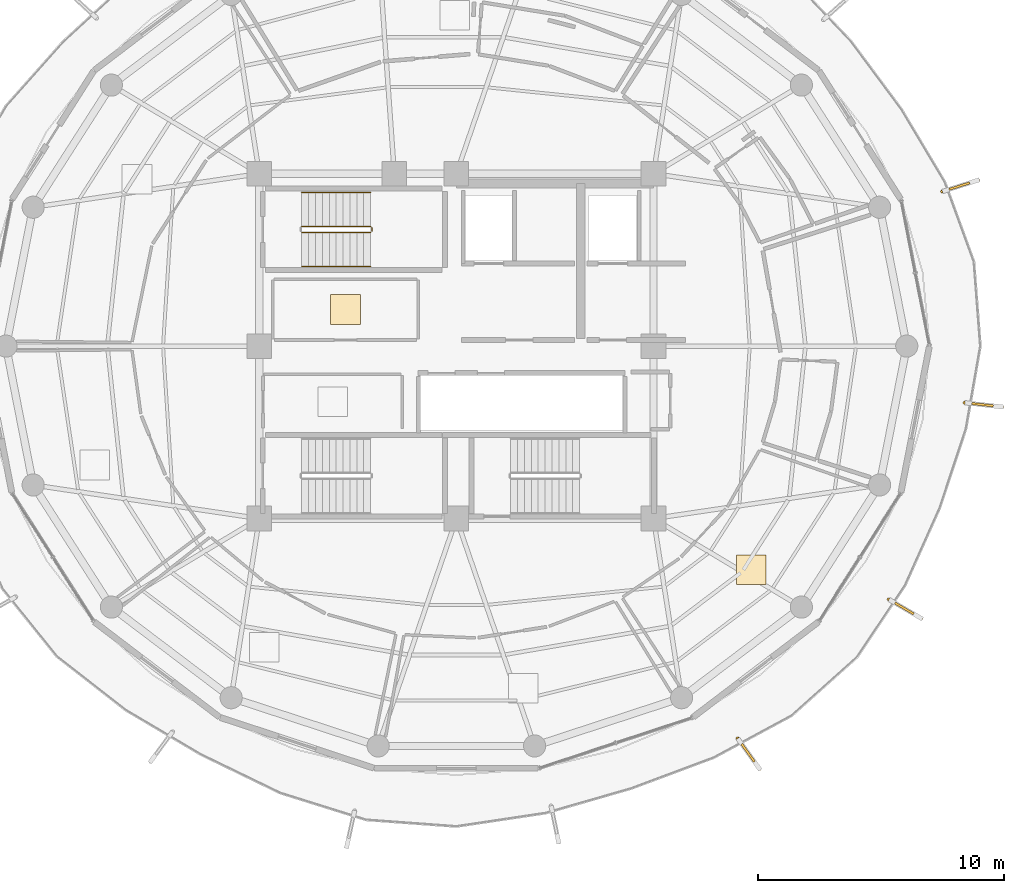
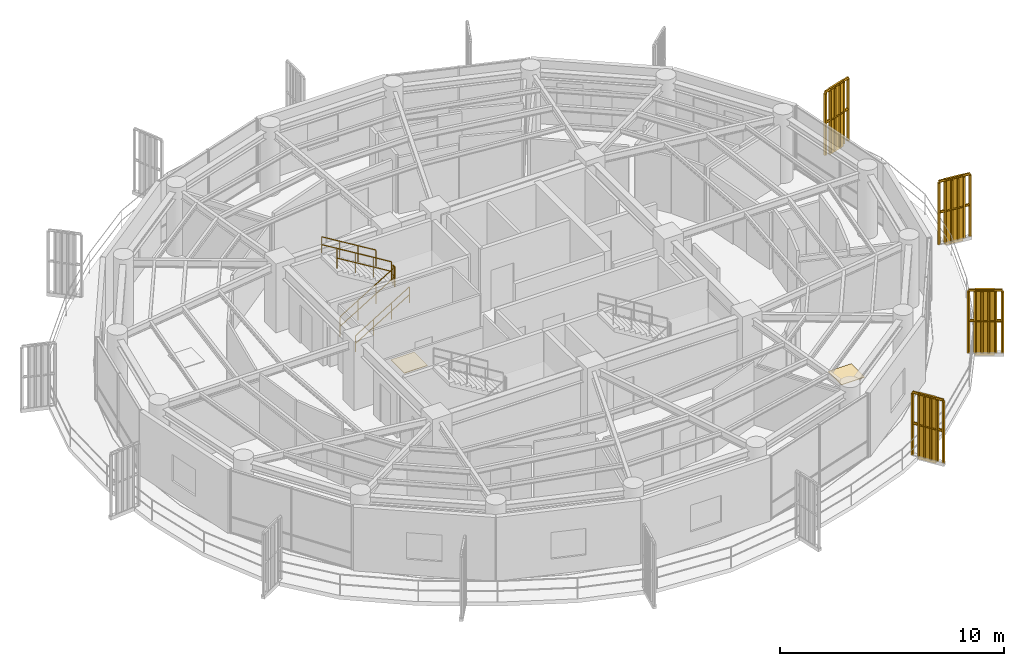
# One storey, part 21 of 22: 9 railings, 4 shading devices, 2 coverings.
"""IFC4 building model written with IfcOpenShell, lengths in metres."""

from ifc_helpers import new_model, si_unit, direction, frame, origin, origin_2d, place, context, subcontext, project, spatial, polyline, rectangle, outline, extrude, source, transform, mapped, material, layer, layer_set, type_object, element, save


model = new_model("IFC4")

# Units and contexts
model_context = context("Model", 3, precision=1e-05, world=origin(), true_north=direction((0.0, 1.0)))
body_context = subcontext(model_context, "Body", "Model", "MODEL_VIEW")
ifc_project = project(units=[si_unit("LENGTHUNIT", "METRE"), si_unit("AREAUNIT", "SQUARE_METRE"), si_unit("VOLUMEUNIT", "CUBIC_METRE"), si_unit("PLANEANGLEUNIT", "RADIAN"), si_unit("MASSUNIT", "GRAM", prefix="KILO")], contexts=[model_context])

# Site, building, storey
site_placement = place(None, origin())
site = spatial("IfcSite", under=ifc_project, at=site_placement, CompositionType="ELEMENT")
building_placement = place(site_placement, origin())
building = spatial("IfcBuilding", under=site, at=building_placement, Name="Kelanora Arch Commons", CompositionType="ELEMENT")
storey_placement = place(building_placement, frame((0.0, 0.0, 259.949951171875)))
storey = spatial("IfcBuildingStorey", under=building, at=storey_placement, Name="L66", CompositionType="ELEMENT", Elevation=259.949951171875)

# Railings
ifc_material_1 = material(Name="Anodised bronze vertical shading fin rib assembly")
railing_type_1 = type_object("IfcRailingType", Name="RAIL-FIN-BRZ", PredefinedType="BALUSTRADE", material=ifc_material_1)
railing_1_placement = place(storey_placement, frame((91.558837890625, 47.716064453125, -0.02001953125)))
element("IfcRailing", 1, at=railing_1_placement, inside=storey, type_object=railing_type_1, Name="Sweeping Bronze Vertical Fin Blade L66-00", PredefinedType="BALUSTRADE", context=body_context, shape_type="SweptSolid", body=[
    extrude(outline(polyline([(0.06982421875, 0.0), (0.034912109375, 0.060546875), (-0.034912109375, 0.060546875), (-0.06982421875, 0.0), (-0.034912109375, -0.060546875), (0.034912109375, -0.060546875), (0.06982421875, 0.0)])), frame((0.0, 0.0, 3.419921875), z_axis=(0.86286732574, -0.505430487971, 0.0), x_axis=(0.505430487971, 0.86286732574, 0.0)), (0.0, 0.0, 1.0), 1.517578125),
    extrude(outline(polyline([(0.06982421875, 0.0), (0.034912109375, 0.060546875), (-0.034912109375, 0.060546875), (-0.06982421875, 0.0), (-0.034912109375, -0.060546875), (0.034912109375, -0.060546875), (0.06982421875, 0.0)])), frame((0.0, 0.0, 1.7451171875), z_axis=(0.86286732574, -0.505430487971, 0.0), x_axis=(0.505430487971, 0.86286732574, 0.0)), (0.0, 0.0, 1.0), 1.517578125),
    extrude(outline(polyline([(0.080078125, 0.0), (0.0400390625, 0.0693359375), (-0.0400390625, 0.0693359375), (-0.080078125, 0.0), (-0.0400390625, -0.0693359375), (0.0400390625, -0.0693359375), (0.080078125, 0.0)])), origin(), (0.0, 0.0, 1.0), 3.35009765625),
    extrude(outline(polyline([(0.080078125, 0.0), (0.0400390625, 0.0693359375), (-0.0400390625, 0.0693359375), (-0.080078125, 0.0), (-0.0400390625, -0.0693359375), (0.0400390625, -0.0693359375), (0.080078125, 0.0)])), frame((0.261962890625, -0.1533203125, 0.0)), (0.0, 0.0, 1.0), 3.35009765625),
    extrude(outline(polyline([(0.080078125, 0.0), (0.0400390625, 0.0693359375), (-0.0400390625, 0.0693359375), (-0.080078125, 0.0), (-0.0400390625, -0.0693359375), (0.0400390625, -0.0693359375), (0.080078125, 0.0)])), frame((0.52392578125, -0.306884765625, 0.0)), (0.0, 0.0, 1.0), 3.35009765625),
    extrude(outline(polyline([(0.080078125, 0.0), (0.0400390625, 0.0693359375), (-0.0400390625, 0.0693359375), (-0.080078125, 0.0), (-0.0400390625, -0.0693359375), (0.0400390625, -0.0693359375), (0.080078125, 0.0)])), frame((0.78564453125, -0.460205078125, 0.0)), (0.0, 0.0, 1.0), 3.35009765625),
    extrude(outline(polyline([(0.080078125, 0.0), (0.0400390625, 0.0693359375), (-0.0400390625, 0.0693359375), (-0.080078125, 0.0), (-0.0400390625, -0.0693359375), (0.0400390625, -0.0693359375), (0.080078125, 0.0)])), frame((1.047607421875, -0.61376953125, 0.0)), (0.0, 0.0, 1.0), 3.35009765625),
    extrude(outline(polyline([(0.080078125, 0.0), (0.0400390625, 0.0693359375), (-0.0400390625, 0.0693359375), (-0.080078125, 0.0), (-0.0400390625, -0.0693359375), (0.0400390625, -0.0693359375), (0.080078125, 0.0)])), frame((1.3095703125, -0.76708984375, 0.0)), (0.0, 0.0, 1.0), 3.35009765625),
])
railing_2_placement = place(storey_placement, frame((94.63818359375, 55.70068359375, -0.02001953125)))
element("IfcRailing", 2, at=railing_2_placement, inside=storey, type_object=railing_type_1, Name="Sweeping Bronze Vertical Fin Blade L66-01", PredefinedType="BALUSTRADE", context=body_context, shape_type="SweptSolid", body=[
    extrude(outline(polyline([(0.06982421875, 0.0), (0.034912109375, 0.060546875), (-0.034912109375, 0.060546875), (-0.06982421875, 0.0), (-0.034912109375, -0.060546875), (0.034912109375, -0.060546875), (0.06982421875, 0.0)])), frame((0.0, 0.0, 3.419921875), z_axis=(0.993856238286, -0.11067871349, 0.0), x_axis=(0.11067871349, 0.993856238286, 0.0)), (0.0, 0.0, 1.0), 1.517578125),
    extrude(outline(polyline([(0.06982421875, 0.0), (0.034912109375, 0.060546875), (-0.034912109375, 0.060546875), (-0.06982421875, 0.0), (-0.034912109375, -0.060546875), (0.034912109375, -0.060546875), (0.06982421875, 0.0)])), frame((0.0, 0.0, 1.7451171875), z_axis=(0.993856238286, -0.11067871349, 0.0), x_axis=(0.11067871349, 0.993856238286, 0.0)), (0.0, 0.0, 1.0), 1.517578125),
    extrude(outline(polyline([(0.080078125, 0.0), (0.0400390625, 0.0693359375), (-0.0400390625, 0.0693359375), (-0.080078125, 0.0), (-0.0400390625, -0.0693359375), (0.0400390625, -0.0693359375), (0.080078125, 0.0)])), origin(), (0.0, 0.0, 1.0), 3.35009765625),
    extrude(outline(polyline([(0.080078125, 0.0), (0.0400390625, 0.0693359375), (-0.0400390625, 0.0693359375), (-0.080078125, 0.0), (-0.0400390625, -0.0693359375), (0.0400390625, -0.0693359375), (0.080078125, 0.0)])), frame((0.3017578125, -0.03369140625, 0.0)), (0.0, 0.0, 1.0), 3.35009765625),
    extrude(outline(polyline([(0.080078125, 0.0), (0.0400390625, 0.0693359375), (-0.0400390625, 0.0693359375), (-0.080078125, 0.0), (-0.0400390625, -0.0693359375), (0.0400390625, -0.0693359375), (0.080078125, 0.0)])), frame((0.603271484375, -0.067138671875, 0.0)), (0.0, 0.0, 1.0), 3.35009765625),
    extrude(outline(polyline([(0.080078125, 0.0), (0.0400390625, 0.0693359375), (-0.0400390625, 0.0693359375), (-0.080078125, 0.0), (-0.0400390625, -0.0693359375), (0.0400390625, -0.0693359375), (0.080078125, 0.0)])), frame((0.905029296875, -0.100830078125, 0.0)), (0.0, 0.0, 1.0), 3.35009765625),
    extrude(outline(polyline([(0.080078125, 0.0), (0.0400390625, 0.0693359375), (-0.0400390625, 0.0693359375), (-0.080078125, 0.0), (-0.0400390625, -0.0693359375), (0.0400390625, -0.0693359375), (0.080078125, 0.0)])), frame((1.20654296875, -0.13427734375, 0.0)), (0.0, 0.0, 1.0), 3.35009765625),
    extrude(outline(polyline([(0.080078125, 0.0), (0.0400390625, 0.0693359375), (-0.0400390625, 0.0693359375), (-0.080078125, 0.0), (-0.0400390625, -0.0693359375), (0.0400390625, -0.0693359375), (0.080078125, 0.0)])), frame((1.50830078125, -0.16796875, 0.0)), (0.0, 0.0, 1.0), 3.35009765625),
])
railing_3_placement = place(storey_placement, frame((93.7275390625, 64.2744140625, -0.02001953125)))
element("IfcRailing", 3, at=railing_3_placement, inside=storey, type_object=railing_type_1, Name="Sweeping Bronze Vertical Fin Blade L66-02", PredefinedType="BALUSTRADE", context=body_context, shape_type="SweptSolid", body=[
    extrude(outline(polyline([(0.06982421875, 0.0), (0.034912109375, 0.060546875), (-0.034912109375, 0.060546875), (-0.06982421875, 0.0), (-0.034912109375, -0.060546875), (0.034912109375, -0.060546875), (0.06982421875, 0.0)])), frame((0.0, 0.0, 3.419921875), z_axis=(0.952999710474, 0.302971206284, 0.0), x_axis=(-0.302971206284, 0.952999710474, 0.0)), (0.0, 0.0, 1.0), 1.517333984375),
    extrude(outline(polyline([(0.06982421875, 0.0), (0.034912109375, 0.060546875), (-0.034912109375, 0.060546875), (-0.06982421875, 0.0), (-0.034912109375, -0.060546875), (0.034912109375, -0.060546875), (0.06982421875, 0.0)])), frame((0.0, 0.0, 1.7451171875), z_axis=(0.952999710474, 0.302971206284, 0.0), x_axis=(-0.302971206284, 0.952999710474, 0.0)), (0.0, 0.0, 1.0), 1.517333984375),
    extrude(outline(polyline([(0.080078125, 0.0), (0.0400390625, 0.0693359375), (-0.0400390625, 0.0693359375), (-0.080078125, 0.0), (-0.0400390625, -0.0693359375), (0.0400390625, -0.0693359375), (0.080078125, 0.0)])), origin(), (0.0, 0.0, 1.0), 3.35009765625),
    extrude(outline(polyline([(0.080078125, 0.0), (0.0400390625, 0.0693359375), (-0.0400390625, 0.0693359375), (-0.080078125, 0.0), (-0.0400390625, -0.0693359375), (0.0400390625, -0.0693359375), (0.080078125, 0.0)])), frame((0.289306640625, 0.092041015625, 0.0)), (0.0, 0.0, 1.0), 3.35009765625),
    extrude(outline(polyline([(0.080078125, 0.0), (0.0400390625, 0.0693359375), (-0.0400390625, 0.0693359375), (-0.080078125, 0.0), (-0.0400390625, -0.0693359375), (0.0400390625, -0.0693359375), (0.080078125, 0.0)])), frame((0.578369140625, 0.183837890625, 0.0)), (0.0, 0.0, 1.0), 3.35009765625),
    extrude(outline(polyline([(0.080078125, 0.0), (0.0400390625, 0.0693359375), (-0.0400390625, 0.0693359375), (-0.080078125, 0.0), (-0.0400390625, -0.0693359375), (0.0400390625, -0.0693359375), (0.080078125, 0.0)])), frame((0.86767578125, 0.27587890625, 0.0)), (0.0, 0.0, 1.0), 3.35009765625),
    extrude(outline(polyline([(0.080078125, 0.0), (0.0400390625, 0.0693359375), (-0.0400390625, 0.0693359375), (-0.080078125, 0.0), (-0.0400390625, -0.0693359375), (0.0400390625, -0.0693359375), (0.080078125, 0.0)])), frame((1.15673828125, 0.36767578125, 0.0)), (0.0, 0.0, 1.0), 3.35009765625),
    extrude(outline(polyline([(0.080078125, 0.0), (0.0400390625, 0.0693359375), (-0.0400390625, 0.0693359375), (-0.080078125, 0.0), (-0.0400390625, -0.0693359375), (0.0400390625, -0.0693359375), (0.080078125, 0.0)])), frame((1.446044921875, 0.459716796875, 0.0)), (0.0, 0.0, 1.0), 3.35009765625),
])
railing_4_placement = place(storey_placement, frame((85.419921875, 42.07421875, -0.02001953125)))
element("IfcRailing", 4, at=railing_4_placement, inside=storey, type_object=railing_type_1, Name="Sweeping Bronze Vertical Fin Blade L66-14", PredefinedType="BALUSTRADE", context=body_context, shape_type="SweptSolid", body=[
    extrude(outline(polyline([(0.06982421875, 0.0), (0.034912109375, 0.060546875), (-0.034912109375, 0.060546875), (-0.06982421875, 0.0), (-0.034912109375, -0.060546875), (0.034912109375, -0.060546875), (0.06982421875, 0.0)])), frame((0.0, 0.0, 3.419921875), z_axis=(0.582667725951, -0.812710478052, 0.0), x_axis=(0.812710478052, 0.582667725951, 0.0)), (0.0, 0.0, 1.0), 1.517578125),
    extrude(outline(polyline([(0.06982421875, 0.0), (0.034912109375, 0.060546875), (-0.034912109375, 0.060546875), (-0.06982421875, 0.0), (-0.034912109375, -0.060546875), (0.034912109375, -0.060546875), (0.06982421875, 0.0)])), frame((0.0, 0.0, 1.7451171875), z_axis=(0.582667725951, -0.812710478052, 0.0), x_axis=(0.812710478052, 0.582667725951, 0.0)), (0.0, 0.0, 1.0), 1.517578125),
    extrude(outline(polyline([(0.080078125, 0.0), (0.0400390625, 0.0693359375), (-0.0400390625, 0.0693359375), (-0.080078125, 0.0), (-0.0400390625, -0.0693359375), (0.0400390625, -0.0693359375), (0.080078125, 0.0)])), origin(), (0.0, 0.0, 1.0), 3.35009765625),
    extrude(outline(polyline([(0.080078125, 0.0), (0.0400390625, 0.0693359375), (-0.0400390625, 0.0693359375), (-0.080078125, 0.0), (-0.0400390625, -0.0693359375), (0.0400390625, -0.0693359375), (0.080078125, 0.0)])), frame((0.1767578125, -0.24658203125, 0.0)), (0.0, 0.0, 1.0), 3.35009765625),
    extrude(outline(polyline([(0.080078125, 0.0), (0.0400390625, 0.0693359375), (-0.0400390625, 0.0693359375), (-0.080078125, 0.0), (-0.0400390625, -0.0693359375), (0.0400390625, -0.0693359375), (0.080078125, 0.0)])), frame((0.353759765625, -0.493408203125, 0.0)), (0.0, 0.0, 1.0), 3.35009765625),
    extrude(outline(polyline([(0.080078125, 0.0), (0.0400390625, 0.0693359375), (-0.0400390625, 0.0693359375), (-0.080078125, 0.0), (-0.0400390625, -0.0693359375), (0.0400390625, -0.0693359375), (0.080078125, 0.0)])), frame((0.530517578125, -0.739990234375, 0.0)), (0.0, 0.0, 1.0), 3.35009765625),
    extrude(outline(polyline([(0.080078125, 0.0), (0.0400390625, 0.0693359375), (-0.0400390625, 0.0693359375), (-0.080078125, 0.0), (-0.0400390625, -0.0693359375), (0.0400390625, -0.0693359375), (0.080078125, 0.0)])), frame((0.70751953125, -0.98681640625, 0.0)), (0.0, 0.0, 1.0), 3.35009765625),
    extrude(outline(polyline([(0.080078125, 0.0), (0.0400390625, 0.0693359375), (-0.0400390625, 0.0693359375), (-0.080078125, 0.0), (-0.0400390625, -0.0693359375), (0.0400390625, -0.0693359375), (0.080078125, 0.0)])), frame((0.88427734375, -1.2333984375, 0.0)), (0.0, 0.0, 1.0), 3.35009765625),
])
ifc_material_2 = material(Name="Painted steel stair well guard", Category="steel")
railing_type_2 = type_object("IfcRailingType", Name="RAIL-STAIR-GRD", PredefinedType="GUARDRAIL", material=ifc_material_2)
railing_5_placement = place(storey_placement, frame((67.719970703125, 62.610107421875, 0.17041015625)))
element("IfcRailing", 5, at=railing_5_placement, inside=storey, type_object=railing_type_2, Name="L66 ST-T1 stair guard 1", PredefinedType="GUARDRAIL", context=body_context, shape_type="SweptSolid", body=[
    extrude(outline(polyline([(0.02392578125, 0.0), (0.011962890625, 0.020751953125), (-0.011962890625, 0.020751953125), (-0.02392578125, 0.0), (-0.011962890625, -0.020751953125), (0.011962890625, -0.020751953125), (0.02392578125, 0.0)])), frame((0.0, 0.0, 1.076171875), z_axis=(0.854169791009, 0.0, 0.51999420009), x_axis=(0.0, 1.0, 0.0)), (0.0, 0.0, 1.0), 3.278076171875),
    extrude(outline(polyline([(0.02392578125, 0.0), (0.011962890625, 0.020751953125), (-0.011962890625, 0.020751953125), (-0.02392578125, 0.0), (-0.011962890625, -0.020751953125), (0.011962890625, -0.020751953125), (0.02392578125, 0.0)])), frame((0.0, 0.0, 0.550048828125), z_axis=(0.854169791009, 0.0, 0.51999420009), x_axis=(0.0, 1.0, 0.0)), (0.0, 0.0, 1.0), 3.278076171875),
    extrude(outline(polyline([(0.02099609375, 0.0), (0.010498046875, 0.01806640625), (-0.010498046875, 0.01806640625), (-0.02099609375, 0.0), (-0.010498046875, -0.01806640625), (0.010498046875, -0.01806640625), (0.02099609375, 0.0)])), origin(), (0.0, 0.0, 1.0), 1.052001953125),
    extrude(outline(polyline([(0.02099609375, 0.0), (0.010498046875, 0.01806640625), (-0.010498046875, 0.01806640625), (-0.02099609375, 0.0), (-0.010498046875, -0.01806640625), (0.010498046875, -0.01806640625), (0.02099609375, 0.0)])), frame((0.933349609375, 0.0, 0.568115234375)), (0.0, 0.0, 1.0), 1.052001953125),
    extrude(outline(polyline([(0.02099609375, 0.0), (0.010498046875, 0.01806640625), (-0.010498046875, 0.01806640625), (-0.02099609375, 0.0), (-0.010498046875, -0.01806640625), (0.010498046875, -0.01806640625), (0.02099609375, 0.0)])), frame((1.86669921875, 0.0, 1.136474609375)), (0.0, 0.0, 1.0), 1.052001953125),
    extrude(outline(polyline([(0.02099609375, 0.0), (0.010498046875, 0.01806640625), (-0.010498046875, 0.01806640625), (-0.02099609375, 0.0), (-0.010498046875, -0.01806640625), (0.010498046875, -0.01806640625), (0.02099609375, 0.0)])), frame((2.800048828125, 0.0, 1.70458984375)), (0.0, 0.0, 1.0), 1.052001953125),
])
railing_6_placement = place(storey_placement, frame((70.570068359375, 62.659912109375, 1.875)))
element("IfcRailing", 6, at=railing_6_placement, inside=storey, type_object=railing_type_2, Name="L66 ST-T1 stair guard 2", PredefinedType="GUARDRAIL", context=body_context, shape_type="SweptSolid", body=[
    extrude(outline(polyline([(0.02392578125, 0.0), (0.011962890625, 0.020751953125), (-0.011962890625, 0.020751953125), (-0.02392578125, 0.0), (-0.011962890625, -0.020751953125), (0.011962890625, -0.020751953125), (0.02392578125, 0.0)])), frame((0.0, 0.0, 1.076171875), z_axis=(0.0, 1.0, 0.0), x_axis=(-1.0, 0.0, 0.0)), (0.0, 0.0, 1.0), 0.150146484375),
    extrude(outline(polyline([(0.02392578125, 0.0), (0.011962890625, 0.020751953125), (-0.011962890625, 0.020751953125), (-0.02392578125, 0.0), (-0.011962890625, -0.020751953125), (0.011962890625, -0.020751953125), (0.02392578125, 0.0)])), frame((0.0, 0.0, 0.550048828125), z_axis=(0.0, 1.0, 0.0), x_axis=(-1.0, 0.0, 0.0)), (0.0, 0.0, 1.0), 0.150146484375),
    extrude(outline(polyline([(0.02099609375, 0.0), (0.010498046875, 0.01806640625), (-0.010498046875, 0.01806640625), (-0.02099609375, 0.0), (-0.010498046875, -0.01806640625), (0.010498046875, -0.01806640625), (0.02099609375, 0.0)])), origin(), (0.0, 0.0, 1.0), 1.052001953125),
    extrude(outline(polyline([(0.02099609375, 0.0), (0.010498046875, 0.01806640625), (-0.010498046875, 0.01806640625), (-0.02099609375, 0.0), (-0.010498046875, -0.01806640625), (0.010498046875, -0.01806640625), (0.02099609375, 0.0)])), frame((0.0, 0.150146484375, 0.0)), (0.0, 0.0, 1.0), 1.052001953125),
])
railing_7_placement = place(storey_placement, frame((70.52001953125, 62.860107421875, 2.04541015625)))
element("IfcRailing", 7, at=railing_7_placement, inside=storey, type_object=railing_type_2, Name="L66 ST-T1 stair guard 3", PredefinedType="GUARDRAIL", context=body_context, shape_type="SweptSolid", body=[
    extrude(outline(polyline([(0.02392578125, 0.0), (0.011962890625, 0.020751953125), (-0.011962890625, 0.020751953125), (-0.02392578125, 0.0), (-0.011962890625, -0.020751953125), (0.011962890625, -0.020751953125), (0.02392578125, 0.0)])), frame((0.0, 0.0, 1.076171875), z_axis=(-0.854169791009, 0.0, 0.51999420009), x_axis=(0.0, -1.0, 0.0)), (0.0, 0.0, 1.0), 3.278076171875),
    extrude(outline(polyline([(0.02392578125, 0.0), (0.011962890625, 0.020751953125), (-0.011962890625, 0.020751953125), (-0.02392578125, 0.0), (-0.011962890625, -0.020751953125), (0.011962890625, -0.020751953125), (0.02392578125, 0.0)])), frame((0.0, 0.0, 0.550048828125), z_axis=(-0.854169791009, 0.0, 0.51999420009), x_axis=(0.0, -1.0, 0.0)), (0.0, 0.0, 1.0), 3.278076171875),
    extrude(outline(polyline([(0.02099609375, 0.0), (0.010498046875, 0.01806640625), (-0.010498046875, 0.01806640625), (-0.02099609375, 0.0), (-0.010498046875, -0.01806640625), (0.010498046875, -0.01806640625), (0.02099609375, 0.0)])), origin(), (0.0, 0.0, 1.0), 1.052001953125),
    extrude(outline(polyline([(0.02099609375, 0.0), (0.010498046875, 0.01806640625), (-0.010498046875, 0.01806640625), (-0.02099609375, 0.0), (-0.010498046875, -0.01806640625), (0.010498046875, -0.01806640625), (0.02099609375, 0.0)])), frame((-0.933349609375, 0.0, 0.568115234375)), (0.0, 0.0, 1.0), 1.052001953125),
    extrude(outline(polyline([(0.02099609375, 0.0), (0.010498046875, 0.01806640625), (-0.010498046875, 0.01806640625), (-0.02099609375, 0.0), (-0.010498046875, -0.01806640625), (0.010498046875, -0.01806640625), (0.02099609375, 0.0)])), frame((-1.86669921875, 0.0, 1.136474609375)), (0.0, 0.0, 1.0), 1.052001953125),
    extrude(outline(polyline([(0.02099609375, 0.0), (0.010498046875, 0.01806640625), (-0.010498046875, 0.01806640625), (-0.02099609375, 0.0), (-0.010498046875, -0.01806640625), (0.010498046875, -0.01806640625), (0.02099609375, 0.0)])), frame((-2.800048828125, 0.0, 1.70458984375)), (0.0, 0.0, 1.0), 1.052001953125),
])
ifc_material_3 = material(Name="Brushed stainless steel stair handrail", Category="steel")
railing_type_3 = type_object("IfcRailingType", Name="RAIL-STAIR-HND", PredefinedType="HANDRAIL", material=ifc_material_3)
railing_8_placement = place(storey_placement, frame((67.719970703125, 61.22998046875, 0.17041015625)))
element("IfcRailing", 8, at=railing_8_placement, inside=storey, type_object=railing_type_3, Name="L66 ST-T1 stair handrail 1", PredefinedType="HANDRAIL", context=body_context, shape_type="SweptSolid", body=[
    extrude(outline(polyline([(0.02392578125, 0.0), (0.011962890625, 0.020751953125), (-0.011962890625, 0.020751953125), (-0.02392578125, 0.0), (-0.011962890625, -0.020751953125), (0.011962890625, -0.020751953125), (0.02392578125, 0.0)])), frame((0.0, 0.0, 0.8759765625), z_axis=(0.854169791009, 0.0, 0.51999420009), x_axis=(0.0, 1.0, 0.0)), (0.0, 0.0, 1.0), 3.278076171875),
    extrude(outline(polyline([(0.02392578125, 0.0), (0.011962890625, 0.020751953125), (-0.011962890625, 0.020751953125), (-0.02392578125, 0.0), (-0.011962890625, -0.020751953125), (0.011962890625, -0.020751953125), (0.02392578125, 0.0)])), frame((0.0, 0.0, 0.449951171875), z_axis=(0.854169791009, 0.0, 0.51999420009), x_axis=(0.0, 1.0, 0.0)), (0.0, 0.0, 1.0), 3.278076171875),
    extrude(outline(polyline([(0.02099609375, 0.0), (0.010498046875, 0.01806640625), (-0.010498046875, 0.01806640625), (-0.02099609375, 0.0), (-0.010498046875, -0.01806640625), (0.010498046875, -0.01806640625), (0.02099609375, 0.0)])), origin(), (0.0, 0.0, 1.0), 0.851806640625),
    extrude(outline(polyline([(0.02099609375, 0.0), (0.010498046875, 0.01806640625), (-0.010498046875, 0.01806640625), (-0.02099609375, 0.0), (-0.010498046875, -0.01806640625), (0.010498046875, -0.01806640625), (0.02099609375, 0.0)])), frame((0.933349609375, 0.0, 0.568115234375)), (0.0, 0.0, 1.0), 0.851806640625),
    extrude(outline(polyline([(0.02099609375, 0.0), (0.010498046875, 0.01806640625), (-0.010498046875, 0.01806640625), (-0.02099609375, 0.0), (-0.010498046875, -0.01806640625), (0.010498046875, -0.01806640625), (0.02099609375, 0.0)])), frame((1.86669921875, 0.0, 1.136474609375)), (0.0, 0.0, 1.0), 0.851806640625),
    extrude(outline(polyline([(0.02099609375, 0.0), (0.010498046875, 0.01806640625), (-0.010498046875, 0.01806640625), (-0.02099609375, 0.0), (-0.010498046875, -0.01806640625), (0.010498046875, -0.01806640625), (0.02099609375, 0.0)])), frame((2.800048828125, 0.0, 1.70458984375)), (0.0, 0.0, 1.0), 0.851806640625),
])
railing_9_placement = place(storey_placement, frame((70.52001953125, 64.239990234375, 2.04541015625)))
element("IfcRailing", 9, at=railing_9_placement, inside=storey, type_object=railing_type_3, Name="L66 ST-T1 stair handrail 2", PredefinedType="HANDRAIL", context=body_context, shape_type="SweptSolid", body=[
    extrude(outline(polyline([(0.02392578125, 0.0), (0.011962890625, 0.020751953125), (-0.011962890625, 0.020751953125), (-0.02392578125, 0.0), (-0.011962890625, -0.020751953125), (0.011962890625, -0.020751953125), (0.02392578125, 0.0)])), frame((0.0, 0.0, 0.8759765625), z_axis=(-0.854169791009, 0.0, 0.51999420009), x_axis=(0.0, -1.0, 0.0)), (0.0, 0.0, 1.0), 3.278076171875),
    extrude(outline(polyline([(0.02392578125, 0.0), (0.011962890625, 0.020751953125), (-0.011962890625, 0.020751953125), (-0.02392578125, 0.0), (-0.011962890625, -0.020751953125), (0.011962890625, -0.020751953125), (0.02392578125, 0.0)])), frame((0.0, 0.0, 0.449951171875), z_axis=(-0.854169791009, 0.0, 0.51999420009), x_axis=(0.0, -1.0, 0.0)), (0.0, 0.0, 1.0), 3.278076171875),
    extrude(outline(polyline([(0.02099609375, 0.0), (0.010498046875, 0.01806640625), (-0.010498046875, 0.01806640625), (-0.02099609375, 0.0), (-0.010498046875, -0.01806640625), (0.010498046875, -0.01806640625), (0.02099609375, 0.0)])), origin(), (0.0, 0.0, 1.0), 0.851806640625),
    extrude(outline(polyline([(0.02099609375, 0.0), (0.010498046875, 0.01806640625), (-0.010498046875, 0.01806640625), (-0.02099609375, 0.0), (-0.010498046875, -0.01806640625), (0.010498046875, -0.01806640625), (0.02099609375, 0.0)])), frame((-0.933349609375, 0.0, 0.568115234375)), (0.0, 0.0, 1.0), 0.851806640625),
    extrude(outline(polyline([(0.02099609375, 0.0), (0.010498046875, 0.01806640625), (-0.010498046875, 0.01806640625), (-0.02099609375, 0.0), (-0.010498046875, -0.01806640625), (0.010498046875, -0.01806640625), (0.02099609375, 0.0)])), frame((-1.86669921875, 0.0, 1.136474609375)), (0.0, 0.0, 1.0), 0.851806640625),
    extrude(outline(polyline([(0.02099609375, 0.0), (0.010498046875, 0.01806640625), (-0.010498046875, 0.01806640625), (-0.02099609375, 0.0), (-0.010498046875, -0.01806640625), (0.010498046875, -0.01806640625), (0.02099609375, 0.0)])), frame((-2.800048828125, 0.0, 1.70458984375)), (0.0, 0.0, 1.0), 0.851806640625),
])

# Shading devices
ifc_material_4 = material(Name="Terracotta ceramic-clad extruded aluminium fin", Category="masonry")
shading_device_type = type_object("IfcShadingDeviceType", Name="SHD-FIN-FLARE", PredefinedType="USERDEFINED", material=ifc_material_4)
shared_shape_1 = source(origin(), body_context, "Body", "SweptSolid", [
    extrude(rectangle(XDim=0.8798828125, YDim=0.090087890625, at=origin_2d()), origin(), (0.0, 0.0, 1.0), 3.610107421875),
])
for number, where, z_axis, x_axis, name in (
    (10, (92.18017578125, 47.35205078125, -0.14013671875), (0.0, 0.0, 1.0), (0.862866737202, -0.505431492718, 0.0), "Sweeping Terracotta Fin L66-00"),
    (11, (95.353759765625, 55.62109375, -0.14013671875), (0.0, 0.0, 1.0), (0.993845496974, -0.110775124211, 0.0), "Sweeping Terracotta Fin L66-01"),
    (12, (94.413818359375, 64.492431640625, -0.14013671875), (0.0, 0.0, 1.0), (0.952979341517, 0.303035269633, 0.0), "Sweeping Terracotta Fin L66-02"),
    (13, (85.83935546875, 41.489013671875, -0.14013671875), (0.0, 0.0, 1.0), (0.582690479669, -0.812694164433, 0.0), "Sweeping Terracotta Fin L66-14"),
):
    element("IfcShadingDevice", number, at=place(storey_placement, frame(where, z_axis=z_axis, x_axis=x_axis)), inside=storey, type_object=shading_device_type, Name=name, ObjectType="FIN", PredefinedType="USERDEFINED", context=body_context, shape_type="MappedRepresentation", body=[
        mapped(shared_shape_1, transform((0.0, 0.0, 0.0), scale=1.0)),
    ])

# Coverings
ifc_material_5 = material(Name="Polished local granite terrazzo flooring", Category="masonry")
ifc_layer = layer(ifc_material_5, 0.030029296875)
ifc_layer_set = layer_set([ifc_layer], Name="Polished local granite terrazzo flooring")
covering_type = type_object("IfcCoveringType", Name="COV-FLR-TER", PredefinedType="FLOORING", material=ifc_layer_set)
shared_shape_2 = source(origin(), body_context, "Body", "SweptSolid", [
    extrude(rectangle(XDim=1.199951171875, YDim=1.199951171875, at=origin_2d()), origin(), (0.0, 0.0, 1.0), 0.030029296875),
])
for number, where, z_axis, x_axis, name in (
    (14, (69.5, 59.485107421875, 0.0), (0.0, 0.0, 1.0), (1.0, 0.0, 0.0), "Reclaimed Core Study Pod Lounge L66 Terrazzo Finish"),
    (15, (85.959228515625, 48.930419921875, 0.0), (0.0, 0.0, 1.0), (1.0, 0.0, 0.0), "Communal Dining and Social Hall L66-07 Terrazzo Finish"),
):
    element("IfcCovering", number, at=place(storey_placement, frame(where, z_axis=z_axis, x_axis=x_axis)), inside=storey, type_object=covering_type, Name=name, PredefinedType="FLOORING", context=body_context, shape_type="MappedRepresentation", body=[
        mapped(shared_shape_2, transform((0.0, 0.0, 0.0), scale=1.0)),
    ])

save(model, "model.ifc")
